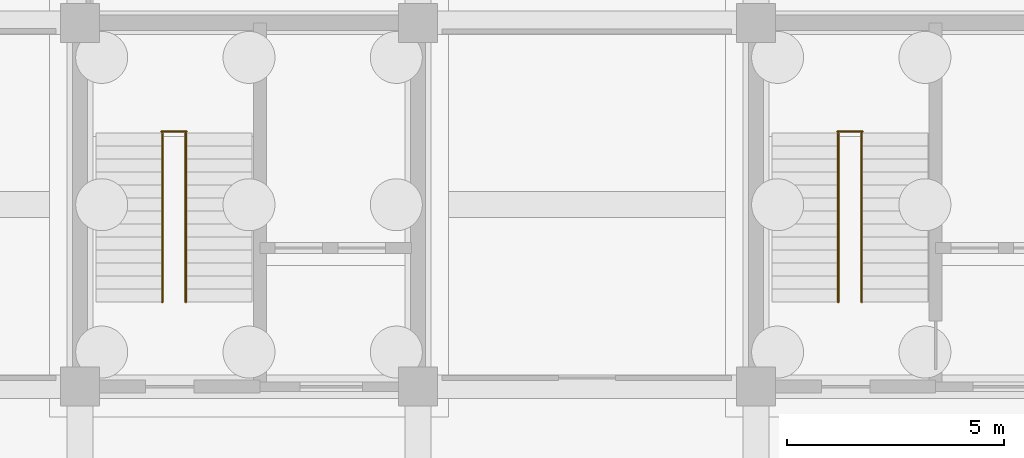
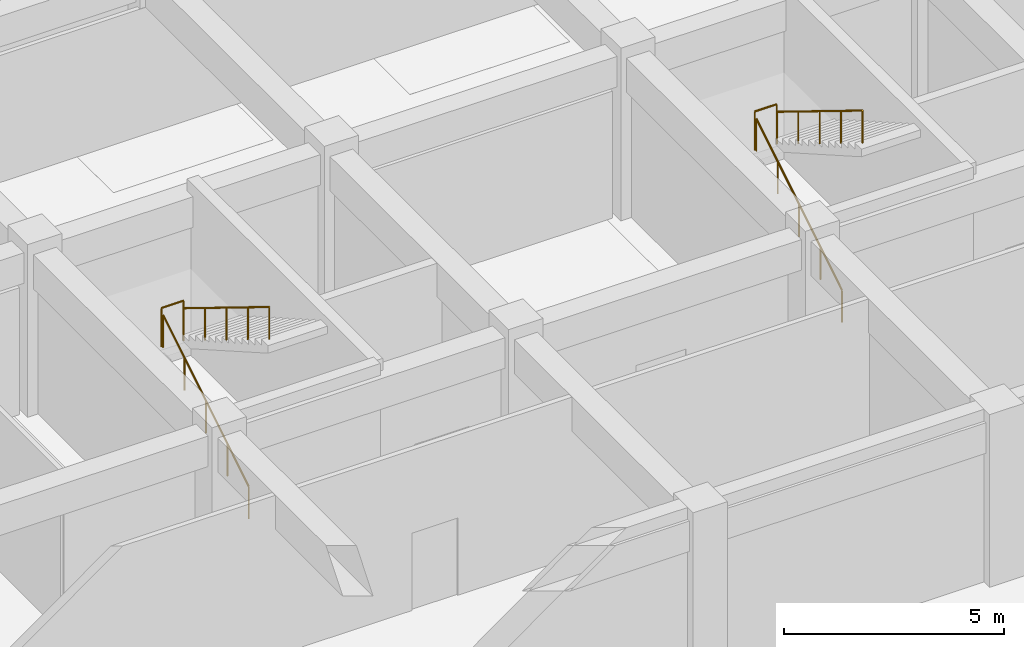
# One storey, part 29 of 31: 6 railings.
"""IFC4 building model written with IfcOpenShell, lengths in metres."""

from ifc_helpers import new_model, si_unit, direction, frame, origin, origin_2d, place, context, subcontext, project, spatial, circle, hollow_circle, extrude, material, material_profile, profile_set, type_object, element, save


model = new_model("IFC4")

# Units and contexts
model_context = context("Model", 3, precision=1e-05, world=origin(), true_north=direction((0.0, 1.0)))
body_context = subcontext(model_context, "Body", "Model", "MODEL_VIEW")
ifc_project = project(units=[si_unit("LENGTHUNIT", "METRE"), si_unit("AREAUNIT", "SQUARE_METRE"), si_unit("VOLUMEUNIT", "CUBIC_METRE"), si_unit("PLANEANGLEUNIT", "RADIAN"), si_unit("MASSUNIT", "GRAM", prefix="KILO")], contexts=[model_context])

# Site, building, storey
site_placement = place(None, origin())
site = spatial("IfcSite", under=ifc_project, at=site_placement, CompositionType="ELEMENT")
building_placement = place(site_placement, origin())
building = spatial("IfcBuilding", under=site, at=building_placement, Name="Zizhar Promenade General Hospital", CompositionType="ELEMENT")
storey_placement = place(building_placement, frame((0.0, 0.0, -4.800048828125)))
storey = spatial("IfcBuildingStorey", under=building, at=storey_placement, Name="B1", CompositionType="ELEMENT", Elevation=-4.800048828125)

# Railings
ifc_material_1 = material(Name="Anodised aluminium 6063-T6", Category="aluminium")
ifc_material_profile_1 = material_profile(ifc_material_1, hollow_circle(Radius=0.06982421875, WallThickness=0.00634765625, at=origin_2d()))
ifc_profile_set_1 = profile_set([ifc_material_profile_1], Name="Anodised aluminium 6063-T6")
railing_type_1 = type_object("IfcRailingType", Name="RL-HANDRAIL-920", PredefinedType="HANDRAIL", material=ifc_profile_set_1)
railing_1_placement = place(storey_placement, frame((79.89990234375, 10.35009765625, 0.0)))
element("IfcRailing", 1, at=railing_1_placement, inside=storey, type_object=railing_type_1, Name="Stair ST-04 Flight 1 Handrail (B1)", PredefinedType="HANDRAIL", context=body_context, shape_type="SweptSolid", body=[
    extrude(circle(Radius=0.02392578125, at=origin_2d()), frame((0.0, 0.0, 0.89599609375), z_axis=(0.0, 0.851638180308, 0.5241301459), x_axis=(-1.0, 0.0, 0.0)), (0.0, 0.0, 1.0), 4.579345703125),
    extrude(circle(Radius=0.02099609375, at=origin_2d()), origin(), (0.0, 0.0, 1.0), 0.871826171875),
    extrude(circle(Radius=0.02099609375, at=origin_2d()), frame((0.0, 0.97509765625, 0.60009765625)), (0.0, 0.0, 1.0), 0.871826171875),
    extrude(circle(Radius=0.02099609375, at=origin_2d()), frame((0.0, 1.949951171875, 1.2001953125)), (0.0, 0.0, 1.0), 0.871826171875),
    extrude(circle(Radius=0.02099609375, at=origin_2d()), frame((0.0, 2.9248046875, 1.800048828125)), (0.0, 0.0, 1.0), 0.871826171875),
    extrude(circle(Radius=0.02099609375, at=origin_2d()), frame((0.0, 3.89990234375, 2.400146484375)), (0.0, 0.0, 1.0), 0.871826171875),
])
railing_2_placement = place(storey_placement, frame((80.43994140625, 14.25, 2.400146484375)))
element("IfcRailing", 2, at=railing_2_placement, inside=storey, type_object=railing_type_1, Name="Stair ST-04 Flight 2 Handrail (B1)", PredefinedType="HANDRAIL", context=body_context, shape_type="SweptSolid", body=[
    extrude(circle(Radius=0.02392578125, at=origin_2d()), frame((0.0, 0.0, 0.89599609375), z_axis=(0.0, -0.851661977835, 0.524091476281), x_axis=(1.0, 0.0, 0.0)), (0.0, 0.0, 1.0), 4.5791015625),
    extrude(circle(Radius=0.02099609375, at=origin_2d()), origin(), (0.0, 0.0, 1.0), 0.871826171875),
    extrude(circle(Radius=0.02099609375, at=origin_2d()), frame((0.0, -0.97509765625, 0.60009765625)), (0.0, 0.0, 1.0), 0.871826171875),
    extrude(circle(Radius=0.02099609375, at=origin_2d()), frame((0.0, -1.949951171875, 1.199951171875)), (0.0, 0.0, 1.0), 0.871826171875),
    extrude(circle(Radius=0.02099609375, at=origin_2d()), frame((0.0, -2.9248046875, 1.7998046875)), (0.0, 0.0, 1.0), 0.871826171875),
    extrude(circle(Radius=0.02099609375, at=origin_2d()), frame((0.0, -3.89990234375, 2.39990234375)), (0.0, 0.0, 1.0), 0.871826171875),
])
railing_3_placement = place(storey_placement, frame((95.5, 10.35009765625, 0.0)))
element("IfcRailing", 3, at=railing_3_placement, inside=storey, type_object=railing_type_1, Name="Stair ST-05 Flight 1 Handrail (B1)", PredefinedType="HANDRAIL", context=body_context, shape_type="SweptSolid", body=[
    extrude(circle(Radius=0.02392578125, at=origin_2d()), frame((0.0, 0.0, 0.89599609375), z_axis=(0.0, 0.851638180308, 0.5241301459), x_axis=(-1.0, 0.0, 0.0)), (0.0, 0.0, 1.0), 4.579345703125),
    extrude(circle(Radius=0.02099609375, at=origin_2d()), origin(), (0.0, 0.0, 1.0), 0.871826171875),
    extrude(circle(Radius=0.02099609375, at=origin_2d()), frame((0.0, 0.97509765625, 0.60009765625)), (0.0, 0.0, 1.0), 0.871826171875),
    extrude(circle(Radius=0.02099609375, at=origin_2d()), frame((0.0, 1.949951171875, 1.2001953125)), (0.0, 0.0, 1.0), 0.871826171875),
    extrude(circle(Radius=0.02099609375, at=origin_2d()), frame((0.0, 2.9248046875, 1.800048828125)), (0.0, 0.0, 1.0), 0.871826171875),
    extrude(circle(Radius=0.02099609375, at=origin_2d()), frame((0.0, 3.89990234375, 2.400146484375)), (0.0, 0.0, 1.0), 0.871826171875),
])
railing_4_placement = place(storey_placement, frame((96.0400390625, 14.25, 2.400146484375)))
element("IfcRailing", 4, at=railing_4_placement, inside=storey, type_object=railing_type_1, Name="Stair ST-05 Flight 2 Handrail (B1)", PredefinedType="HANDRAIL", context=body_context, shape_type="SweptSolid", body=[
    extrude(circle(Radius=0.02392578125, at=origin_2d()), frame((0.0, 0.0, 0.89599609375), z_axis=(0.0, -0.851661977835, 0.524091476281), x_axis=(1.0, 0.0, 0.0)), (0.0, 0.0, 1.0), 4.5791015625),
    extrude(circle(Radius=0.02099609375, at=origin_2d()), origin(), (0.0, 0.0, 1.0), 0.871826171875),
    extrude(circle(Radius=0.02099609375, at=origin_2d()), frame((0.0, -0.97509765625, 0.60009765625)), (0.0, 0.0, 1.0), 0.871826171875),
    extrude(circle(Radius=0.02099609375, at=origin_2d()), frame((0.0, -1.949951171875, 1.199951171875)), (0.0, 0.0, 1.0), 0.871826171875),
    extrude(circle(Radius=0.02099609375, at=origin_2d()), frame((0.0, -2.9248046875, 1.7998046875)), (0.0, 0.0, 1.0), 0.871826171875),
    extrude(circle(Radius=0.02099609375, at=origin_2d()), frame((0.0, -3.89990234375, 2.39990234375)), (0.0, 0.0, 1.0), 0.871826171875),
])
ifc_material_2 = material(Name="Steel S355", Category="steel")
ifc_material_profile_2 = material_profile(ifc_material_2, hollow_circle(Radius=0.06982421875, WallThickness=0.00634765625, at=origin_2d()))
ifc_profile_set_2 = profile_set([ifc_material_profile_2], Name="Steel S355")
railing_type_2 = type_object("IfcRailingType", Name="RL-STAIR-GUARD-1100", PredefinedType="GUARDRAIL", material=ifc_profile_set_2)
for number, where, name in (
    (5, (79.8798828125, 14.2900390625, 2.400146484375), "Stair ST-04 Half-Landing Guard (B1)"),
    (6, (95.47998046875, 14.2900390625, 2.400146484375), "Stair ST-05 Half-Landing Guard (B1)"),
):
    element("IfcRailing", number, at=place(storey_placement, frame(where)), inside=storey, type_object=railing_type_2, Name=name, PredefinedType="GUARDRAIL", context=body_context, shape_type="SweptSolid", body=[
        extrude(circle(Radius=0.02392578125, at=origin_2d()), frame((0.0, 0.0, 1.076171875), z_axis=(1.0, 0.0, 0.0), x_axis=(0.0, 1.0, 0.0)), (0.0, 0.0, 1.0), 0.580078125),
        extrude(circle(Radius=0.02099609375, at=origin_2d()), origin(), (0.0, 0.0, 1.0), 1.052001953125),
        extrude(circle(Radius=0.02099609375, at=origin_2d()), frame((0.580078125, 0.0, 0.0)), (0.0, 0.0, 1.0), 1.052001953125),
    ])

save(model, "model.ifc")
